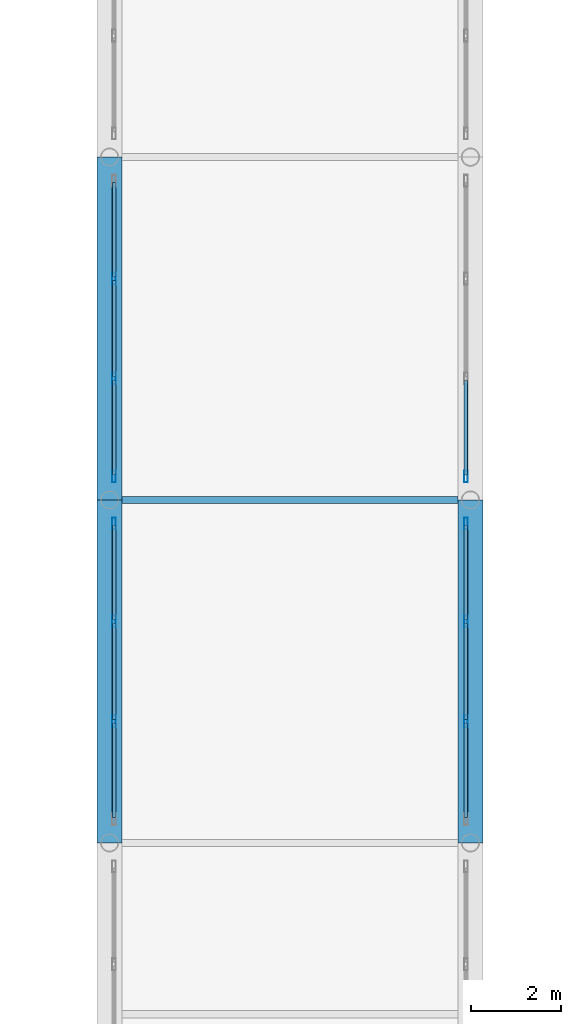
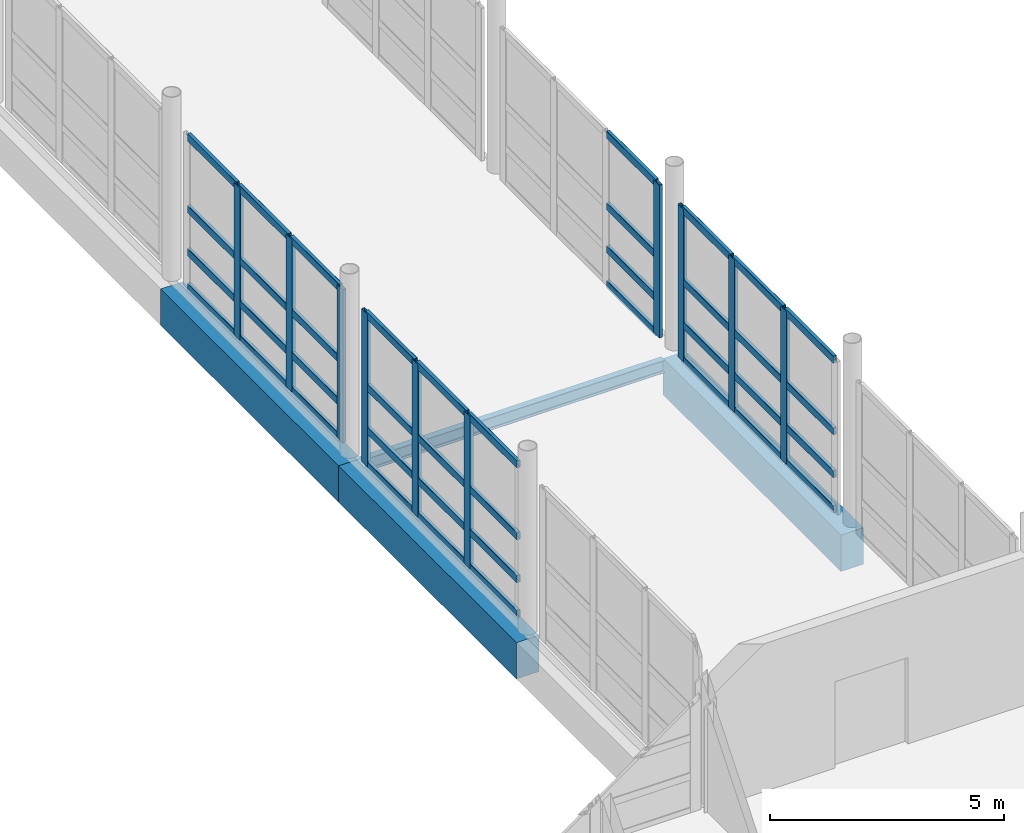
# One storey, part 54 of 147: 50 members, 4 beams, 4 elements without a shape of their own.
"""IFC4 building model written with IfcOpenShell, lengths in metres."""

from ifc_helpers import new_model, si_unit, direction, frame, origin, origin_2d, place, context, subcontext, project, spatial, rectangle, hollow_rectangle, i_section, extrude, material, material_profile, profile_set, type_object, element, aggregate, save


model = new_model("IFC4")

# Units and contexts
model_context = context("Model", 3, precision=1e-05, world=origin(), true_north=direction((0.0, 1.0)))
body_context = subcontext(model_context, "Body", "Model", "MODEL_VIEW")
ifc_project = project(units=[si_unit("LENGTHUNIT", "METRE"), si_unit("AREAUNIT", "SQUARE_METRE"), si_unit("VOLUMEUNIT", "CUBIC_METRE"), si_unit("PLANEANGLEUNIT", "RADIAN"), si_unit("MASSUNIT", "GRAM", prefix="KILO")], contexts=[model_context])

# Site, building, storey
site_placement = place(None, origin())
site = spatial("IfcSite", under=ifc_project, at=site_placement, CompositionType="ELEMENT")
building_placement = place(site_placement, origin())
building = spatial("IfcBuilding", under=site, at=building_placement, Name="Khelvaren Railside Concert Hall", CompositionType="ELEMENT")
storey_placement = place(building_placement, frame((0.0, 0.0, 5.39990234375)))
storey = spatial("IfcBuildingStorey", under=building, at=storey_placement, Name="L01", CompositionType="ELEMENT", Elevation=5.39990234375)

# Curtain wall, members
ifc_material_1 = material(Name="Acoustic laminated crystal facade glass", Category="glass")
curtain_wall_type = type_object("IfcCurtainWallType", Name="CW78", PredefinedType="USERDEFINED", material=ifc_material_1)
curtain_wall_1_placement = place(storey_placement, origin())
curtain_wall_1 = element("IfcCurtainWall", 1, at=curtain_wall_1_placement, inside=storey, type_object=curtain_wall_type, Name="Unitised Curtain Wall CW-LB4-L01-W2", ObjectType="UNITISED CURTAIN WALL", PredefinedType="USERDEFINED")
ifc_material_2 = material(Name="Anodised architectural aluminium 6063-T6", Category="aluminium")
ifc_material_profile_1 = material_profile(ifc_material_2, hollow_rectangle(XDim=0.0849609375, YDim=0.260009765625, WallThickness=0.0048828125, InnerFilletRadius=0.0029296875, OuterFilletRadius=0.0048828125, at=origin_2d()), Name="CWM 85x260x5")
ifc_profile_set_1 = profile_set([ifc_material_profile_1], Name="Anodised architectural aluminium 6063-T6")
member_type_1 = type_object("IfcMemberType", Name="CWM40", PredefinedType="MULLION", material=ifc_profile_set_1)
member_1_placement = place(storey_placement, frame((160.10009765625, 48.293212890625, 0.0), z_axis=(0.0, 0.0, 1.0), x_axis=(-1.0, 0.0, 0.0)))
member_1 = element("IfcMember", 2, at=member_1_placement, type_object=member_type_1, Name="CW78 mullion 2", PredefinedType="MULLION", context=body_context, shape_type="SweptSolid", body=[
    extrude(hollow_rectangle(XDim=0.0849609375, YDim=0.260009765625, WallThickness=0.0048828125, InnerFilletRadius=0.0029296875, OuterFilletRadius=0.0048828125, at=origin_2d()), origin(), (0.0, 0.0, 1.0), 3.97998046875),
])
member_2_placement = place(storey_placement, frame((160.10009765625, 50.506591796875, 0.0), z_axis=(0.0, 0.0, 1.0), x_axis=(-1.0, 0.0, 0.0)))
member_2 = element("IfcMember", 3, at=member_2_placement, type_object=member_type_1, Name="CW78 mullion 3", PredefinedType="MULLION", context=body_context, shape_type="SweptSolid", body=[
    extrude(hollow_rectangle(XDim=0.0849609375, YDim=0.260009765625, WallThickness=0.0048828125, InnerFilletRadius=0.0029296875, OuterFilletRadius=0.0048828125, at=origin_2d()), origin(), (0.0, 0.0, 1.0), 3.97998046875),
])
member_3_placement = place(storey_placement, frame((160.10009765625, 52.677490234375, 0.0), z_axis=(0.0, 0.0, 1.0), x_axis=(-1.0, 0.0, 0.0)))
member_3 = element("IfcMember", 4, at=member_3_placement, type_object=member_type_1, Name="CW78 mullion 4", PredefinedType="MULLION", context=body_context, shape_type="SweptSolid", body=[
    extrude(hollow_rectangle(XDim=0.0849609375, YDim=0.260009765625, WallThickness=0.0048828125, InnerFilletRadius=0.0029296875, OuterFilletRadius=0.0048828125, at=origin_2d()), origin(), (0.0, 0.0, 1.0), 3.97998046875),
])

curtain_wall_2_placement = place(storey_placement, origin())
curtain_wall_2 = element("IfcCurtainWall", 5, at=curtain_wall_2_placement, inside=storey, type_object=curtain_wall_type, Name="Unitised Curtain Wall CW-LB4-L01-E2", ObjectType="UNITISED CURTAIN WALL", PredefinedType="USERDEFINED")
member_4_placement = place(storey_placement, frame((167.89990234375, 52.677490234375, 0.0), z_axis=(0.0, 0.0, 1.0), x_axis=(1.0, 0.0, 0.0)))
member_4 = element("IfcMember", 6, at=member_4_placement, type_object=member_type_1, Name="CW78 mullion 1", PredefinedType="MULLION", context=body_context, shape_type="SweptSolid", body=[
    extrude(hollow_rectangle(XDim=0.0849609375, YDim=0.260009765625, WallThickness=0.0048828125, InnerFilletRadius=0.0029296875, OuterFilletRadius=0.0048828125, at=origin_2d()), origin(), (0.0, 0.0, 1.0), 3.97998046875),
])
member_5_placement = place(storey_placement, frame((167.89990234375, 50.506591796875, 0.0), z_axis=(0.0, 0.0, 1.0), x_axis=(1.0, 0.0, 0.0)))
member_5 = element("IfcMember", 7, at=member_5_placement, type_object=member_type_1, Name="CW78 mullion 2", PredefinedType="MULLION", context=body_context, shape_type="SweptSolid", body=[
    extrude(hollow_rectangle(XDim=0.0849609375, YDim=0.260009765625, WallThickness=0.0048828125, InnerFilletRadius=0.0029296875, OuterFilletRadius=0.0048828125, at=origin_2d()), origin(), (0.0, 0.0, 1.0), 3.97998046875),
])
member_6_placement = place(storey_placement, frame((167.89990234375, 48.293212890625, 0.0), z_axis=(0.0, 0.0, 1.0), x_axis=(1.0, 0.0, 0.0)))
member_6 = element("IfcMember", 8, at=member_6_placement, type_object=member_type_1, Name="CW78 mullion 3", PredefinedType="MULLION", context=body_context, shape_type="SweptSolid", body=[
    extrude(hollow_rectangle(XDim=0.0849609375, YDim=0.260009765625, WallThickness=0.0048828125, InnerFilletRadius=0.0029296875, OuterFilletRadius=0.0048828125, at=origin_2d()), origin(), (0.0, 0.0, 1.0), 3.97998046875),
])

curtain_wall_3_placement = place(storey_placement, origin())
curtain_wall_3 = element("IfcCurtainWall", 9, at=curtain_wall_3_placement, inside=storey, type_object=curtain_wall_type, Name="Unitised Curtain Wall CW-LB4-L01-W3", ObjectType="UNITISED CURTAIN WALL", PredefinedType="USERDEFINED")
member_7_placement = place(storey_placement, frame((160.10009765625, 53.722412109375, 0.0), z_axis=(0.0, 0.0, 1.0), x_axis=(-1.0, 0.0, 0.0)))
member_7 = element("IfcMember", 10, at=member_7_placement, type_object=member_type_1, Name="CW78 mullion 1", PredefinedType="MULLION", context=body_context, shape_type="SweptSolid", body=[
    extrude(hollow_rectangle(XDim=0.0849609375, YDim=0.260009765625, WallThickness=0.0048828125, InnerFilletRadius=0.0029296875, OuterFilletRadius=0.0048828125, at=origin_2d()), origin(), (0.0, 0.0, 1.0), 3.97998046875),
])
member_8_placement = place(storey_placement, frame((160.10009765625, 55.893310546875, 0.0), z_axis=(0.0, 0.0, 1.0), x_axis=(-1.0, 0.0, 0.0)))
member_8 = element("IfcMember", 11, at=member_8_placement, type_object=member_type_1, Name="CW78 mullion 2", PredefinedType="MULLION", context=body_context, shape_type="SweptSolid", body=[
    extrude(hollow_rectangle(XDim=0.0849609375, YDim=0.260009765625, WallThickness=0.0048828125, InnerFilletRadius=0.0029296875, OuterFilletRadius=0.0048828125, at=origin_2d()), origin(), (0.0, 0.0, 1.0), 3.97998046875),
])
member_9_placement = place(storey_placement, frame((160.10009765625, 58.106689453125, 0.0), z_axis=(0.0, 0.0, 1.0), x_axis=(-1.0, 0.0, 0.0)))
member_9 = element("IfcMember", 12, at=member_9_placement, type_object=member_type_1, Name="CW78 mullion 3", PredefinedType="MULLION", context=body_context, shape_type="SweptSolid", body=[
    extrude(hollow_rectangle(XDim=0.0849609375, YDim=0.260009765625, WallThickness=0.0048828125, InnerFilletRadius=0.0029296875, OuterFilletRadius=0.0048828125, at=origin_2d()), origin(), (0.0, 0.0, 1.0), 3.97998046875),
])

# Curtain wall, member
curtain_wall_4_placement = place(storey_placement, origin())
curtain_wall_4 = element("IfcCurtainWall", 13, at=curtain_wall_4_placement, inside=storey, type_object=curtain_wall_type, Name="Unitised Curtain Wall CW-LB4-L01-E3", ObjectType="UNITISED CURTAIN WALL", PredefinedType="USERDEFINED")
member_10_placement = place(storey_placement, frame((167.89990234375, 53.722412109375, 0.0), z_axis=(0.0, 0.0, 1.0), x_axis=(1.0, 0.0, 0.0)))
member_10 = element("IfcMember", 14, at=member_10_placement, type_object=member_type_1, Name="CW78 mullion 4", PredefinedType="MULLION", context=body_context, shape_type="SweptSolid", body=[
    extrude(hollow_rectangle(XDim=0.0849609375, YDim=0.260009765625, WallThickness=0.0048828125, InnerFilletRadius=0.0029296875, OuterFilletRadius=0.0048828125, at=origin_2d()), origin(), (0.0, 0.0, 1.0), 3.97998046875),
])

# Member
ifc_material_profile_2 = material_profile(ifc_material_2, hollow_rectangle(XDim=0.0849609375, YDim=0.18994140625, WallThickness=0.0048828125, InnerFilletRadius=0.0029296875, OuterFilletRadius=0.0048828125, at=origin_2d()), Name="CWT 85x190x5")
ifc_profile_set_2 = profile_set([ifc_material_profile_2], Name="Anodised architectural aluminium 6063-T6")
member_type_2 = type_object("IfcMemberType", Name="CWT31", PredefinedType="USERDEFINED", material=ifc_profile_set_2)
member_11_placement = place(storey_placement, frame((160.10009765625, 46.1650390625, 0.04248046875), z_axis=(0.0, 1.0, 0.0), x_axis=(-1.0, 0.0, 0.0)))
member_11 = element("IfcMember", 15, at=member_11_placement, type_object=member_type_2, Name="CW78 transom 1.1", ObjectType="TRANSOM", PredefinedType="USERDEFINED", context=body_context, shape_type="SweptSolid", body=[
    extrude(hollow_rectangle(XDim=0.0849609375, YDim=0.18994140625, WallThickness=0.0048828125, InnerFilletRadius=0.0029296875, OuterFilletRadius=0.0048828125, at=origin_2d()), origin(), (0.0, 0.0, 1.0), 2.085693359375),
])

member_12_placement = place(storey_placement, frame((160.10009765625, 46.1650390625, 0.9501953125), z_axis=(0.0, 1.0, 0.0), x_axis=(-1.0, 0.0, 0.0)))
member_12 = element("IfcMember", 16, at=member_12_placement, type_object=member_type_2, Name="CW78 transom 1.2", ObjectType="TRANSOM", PredefinedType="USERDEFINED", context=body_context, shape_type="SweptSolid", body=[
    extrude(hollow_rectangle(XDim=0.0849609375, YDim=0.18994140625, WallThickness=0.0048828125, InnerFilletRadius=0.0029296875, OuterFilletRadius=0.0048828125, at=origin_2d()), origin(), (0.0, 0.0, 1.0), 2.085693359375),
])

member_13_placement = place(storey_placement, frame((160.10009765625, 46.1650390625, 2.069580078125), z_axis=(0.0, 1.0, 0.0), x_axis=(-1.0, 0.0, 0.0)))
member_13 = element("IfcMember", 17, at=member_13_placement, type_object=member_type_2, Name="CW78 transom 1.3", ObjectType="TRANSOM", PredefinedType="USERDEFINED", context=body_context, shape_type="SweptSolid", body=[
    extrude(hollow_rectangle(XDim=0.0849609375, YDim=0.18994140625, WallThickness=0.0048828125, InnerFilletRadius=0.0029296875, OuterFilletRadius=0.0048828125, at=origin_2d()), origin(), (0.0, 0.0, 1.0), 2.085693359375),
])

member_14_placement = place(storey_placement, frame((160.10009765625, 46.1650390625, 3.9375), z_axis=(0.0, 1.0, 0.0), x_axis=(-1.0, 0.0, 0.0)))
member_14 = element("IfcMember", 18, at=member_14_placement, type_object=member_type_2, Name="CW78 transom 1.4", ObjectType="TRANSOM", PredefinedType="USERDEFINED", context=body_context, shape_type="SweptSolid", body=[
    extrude(hollow_rectangle(XDim=0.0849609375, YDim=0.18994140625, WallThickness=0.0048828125, InnerFilletRadius=0.0029296875, OuterFilletRadius=0.0048828125, at=origin_2d()), origin(), (0.0, 0.0, 1.0), 2.085693359375),
])

member_15_placement = place(storey_placement, frame((160.10009765625, 48.3359375, 0.04248046875), z_axis=(0.0, 1.0, 0.0), x_axis=(-1.0, 0.0, 0.0)))
member_15 = element("IfcMember", 19, at=member_15_placement, type_object=member_type_2, Name="CW78 transom 2.1", ObjectType="TRANSOM", PredefinedType="USERDEFINED", context=body_context, shape_type="SweptSolid", body=[
    extrude(hollow_rectangle(XDim=0.0849609375, YDim=0.18994140625, WallThickness=0.0048828125, InnerFilletRadius=0.0029296875, OuterFilletRadius=0.0048828125, at=origin_2d()), origin(), (0.0, 0.0, 1.0), 2.128173828125),
])

member_16_placement = place(storey_placement, frame((160.10009765625, 48.3359375, 0.9501953125), z_axis=(0.0, 1.0, 0.0), x_axis=(-1.0, 0.0, 0.0)))
member_16 = element("IfcMember", 20, at=member_16_placement, type_object=member_type_2, Name="CW78 transom 2.2", ObjectType="TRANSOM", PredefinedType="USERDEFINED", context=body_context, shape_type="SweptSolid", body=[
    extrude(hollow_rectangle(XDim=0.0849609375, YDim=0.18994140625, WallThickness=0.0048828125, InnerFilletRadius=0.0029296875, OuterFilletRadius=0.0048828125, at=origin_2d()), origin(), (0.0, 0.0, 1.0), 2.128173828125),
])

member_17_placement = place(storey_placement, frame((160.10009765625, 48.3359375, 2.069580078125), z_axis=(0.0, 1.0, 0.0), x_axis=(-1.0, 0.0, 0.0)))
member_17 = element("IfcMember", 21, at=member_17_placement, type_object=member_type_2, Name="CW78 transom 2.3", ObjectType="TRANSOM", PredefinedType="USERDEFINED", context=body_context, shape_type="SweptSolid", body=[
    extrude(hollow_rectangle(XDim=0.0849609375, YDim=0.18994140625, WallThickness=0.0048828125, InnerFilletRadius=0.0029296875, OuterFilletRadius=0.0048828125, at=origin_2d()), origin(), (0.0, 0.0, 1.0), 2.128173828125),
])

member_18_placement = place(storey_placement, frame((160.10009765625, 48.3359375, 3.9375), z_axis=(0.0, 1.0, 0.0), x_axis=(-1.0, 0.0, 0.0)))
member_18 = element("IfcMember", 22, at=member_18_placement, type_object=member_type_2, Name="CW78 transom 2.4", ObjectType="TRANSOM", PredefinedType="USERDEFINED", context=body_context, shape_type="SweptSolid", body=[
    extrude(hollow_rectangle(XDim=0.0849609375, YDim=0.18994140625, WallThickness=0.0048828125, InnerFilletRadius=0.0029296875, OuterFilletRadius=0.0048828125, at=origin_2d()), origin(), (0.0, 0.0, 1.0), 2.128173828125),
])

member_19_placement = place(storey_placement, frame((160.10009765625, 50.549072265625, 0.04248046875), z_axis=(0.0, 1.0, 0.0), x_axis=(-1.0, 0.0, 0.0)))
member_19 = element("IfcMember", 23, at=member_19_placement, type_object=member_type_2, Name="CW78 transom 3.1", ObjectType="TRANSOM", PredefinedType="USERDEFINED", context=body_context, shape_type="SweptSolid", body=[
    extrude(hollow_rectangle(XDim=0.0849609375, YDim=0.18994140625, WallThickness=0.0048828125, InnerFilletRadius=0.0029296875, OuterFilletRadius=0.0048828125, at=origin_2d()), origin(), (0.0, 0.0, 1.0), 2.0859375),
])

member_20_placement = place(storey_placement, frame((160.10009765625, 50.549072265625, 0.9501953125), z_axis=(0.0, 1.0, 0.0), x_axis=(-1.0, 0.0, 0.0)))
member_20 = element("IfcMember", 24, at=member_20_placement, type_object=member_type_2, Name="CW78 transom 3.2", ObjectType="TRANSOM", PredefinedType="USERDEFINED", context=body_context, shape_type="SweptSolid", body=[
    extrude(hollow_rectangle(XDim=0.0849609375, YDim=0.18994140625, WallThickness=0.0048828125, InnerFilletRadius=0.0029296875, OuterFilletRadius=0.0048828125, at=origin_2d()), origin(), (0.0, 0.0, 1.0), 2.0859375),
])

member_21_placement = place(storey_placement, frame((160.10009765625, 50.549072265625, 2.069580078125), z_axis=(0.0, 1.0, 0.0), x_axis=(-1.0, 0.0, 0.0)))
member_21 = element("IfcMember", 25, at=member_21_placement, type_object=member_type_2, Name="CW78 transom 3.3", ObjectType="TRANSOM", PredefinedType="USERDEFINED", context=body_context, shape_type="SweptSolid", body=[
    extrude(hollow_rectangle(XDim=0.0849609375, YDim=0.18994140625, WallThickness=0.0048828125, InnerFilletRadius=0.0029296875, OuterFilletRadius=0.0048828125, at=origin_2d()), origin(), (0.0, 0.0, 1.0), 2.0859375),
])

member_22_placement = place(storey_placement, frame((160.10009765625, 50.549072265625, 3.9375), z_axis=(0.0, 1.0, 0.0), x_axis=(-1.0, 0.0, 0.0)))
member_22 = element("IfcMember", 26, at=member_22_placement, type_object=member_type_2, Name="CW78 transom 3.4", ObjectType="TRANSOM", PredefinedType="USERDEFINED", context=body_context, shape_type="SweptSolid", body=[
    extrude(hollow_rectangle(XDim=0.0849609375, YDim=0.18994140625, WallThickness=0.0048828125, InnerFilletRadius=0.0029296875, OuterFilletRadius=0.0048828125, at=origin_2d()), origin(), (0.0, 0.0, 1.0), 2.0859375),
])

aggregate(curtain_wall_1, [member_1, member_2, member_3, member_11, member_12, member_13, member_14, member_15, member_16, member_17, member_18, member_19, member_20, member_21, member_22])

member_23_placement = place(storey_placement, frame((167.89990234375, 52.635009765625, 0.04248046875), z_axis=(0.0, -1.0, 0.0), x_axis=(1.0, 0.0, 0.0)))
member_23 = element("IfcMember", 27, at=member_23_placement, type_object=member_type_2, Name="CW78 transom 1.1", ObjectType="TRANSOM", PredefinedType="USERDEFINED", context=body_context, shape_type="SweptSolid", body=[
    extrude(hollow_rectangle(XDim=0.0849609375, YDim=0.18994140625, WallThickness=0.0048828125, InnerFilletRadius=0.0029296875, OuterFilletRadius=0.0048828125, at=origin_2d()), origin(), (0.0, 0.0, 1.0), 2.0859375),
])

member_24_placement = place(storey_placement, frame((167.89990234375, 52.635009765625, 0.9501953125), z_axis=(0.0, -1.0, 0.0), x_axis=(1.0, 0.0, 0.0)))
member_24 = element("IfcMember", 28, at=member_24_placement, type_object=member_type_2, Name="CW78 transom 1.2", ObjectType="TRANSOM", PredefinedType="USERDEFINED", context=body_context, shape_type="SweptSolid", body=[
    extrude(hollow_rectangle(XDim=0.0849609375, YDim=0.18994140625, WallThickness=0.0048828125, InnerFilletRadius=0.0029296875, OuterFilletRadius=0.0048828125, at=origin_2d()), origin(), (0.0, 0.0, 1.0), 2.0859375),
])

member_25_placement = place(storey_placement, frame((167.89990234375, 52.635009765625, 2.069580078125), z_axis=(0.0, -1.0, 0.0), x_axis=(1.0, 0.0, 0.0)))
member_25 = element("IfcMember", 29, at=member_25_placement, type_object=member_type_2, Name="CW78 transom 1.3", ObjectType="TRANSOM", PredefinedType="USERDEFINED", context=body_context, shape_type="SweptSolid", body=[
    extrude(hollow_rectangle(XDim=0.0849609375, YDim=0.18994140625, WallThickness=0.0048828125, InnerFilletRadius=0.0029296875, OuterFilletRadius=0.0048828125, at=origin_2d()), origin(), (0.0, 0.0, 1.0), 2.0859375),
])

member_26_placement = place(storey_placement, frame((167.89990234375, 52.635009765625, 3.9375), z_axis=(0.0, -1.0, 0.0), x_axis=(1.0, 0.0, 0.0)))
member_26 = element("IfcMember", 30, at=member_26_placement, type_object=member_type_2, Name="CW78 transom 1.4", ObjectType="TRANSOM", PredefinedType="USERDEFINED", context=body_context, shape_type="SweptSolid", body=[
    extrude(hollow_rectangle(XDim=0.0849609375, YDim=0.18994140625, WallThickness=0.0048828125, InnerFilletRadius=0.0029296875, OuterFilletRadius=0.0048828125, at=origin_2d()), origin(), (0.0, 0.0, 1.0), 2.0859375),
])

member_27_placement = place(storey_placement, frame((167.89990234375, 50.464111328125, 0.04248046875), z_axis=(0.0, -1.0, 0.0), x_axis=(1.0, 0.0, 0.0)))
member_27 = element("IfcMember", 31, at=member_27_placement, type_object=member_type_2, Name="CW78 transom 2.1", ObjectType="TRANSOM", PredefinedType="USERDEFINED", context=body_context, shape_type="SweptSolid", body=[
    extrude(hollow_rectangle(XDim=0.0849609375, YDim=0.18994140625, WallThickness=0.0048828125, InnerFilletRadius=0.0029296875, OuterFilletRadius=0.0048828125, at=origin_2d()), origin(), (0.0, 0.0, 1.0), 2.128173828125),
])

member_28_placement = place(storey_placement, frame((167.89990234375, 50.464111328125, 0.9501953125), z_axis=(0.0, -1.0, 0.0), x_axis=(1.0, 0.0, 0.0)))
member_28 = element("IfcMember", 32, at=member_28_placement, type_object=member_type_2, Name="CW78 transom 2.2", ObjectType="TRANSOM", PredefinedType="USERDEFINED", context=body_context, shape_type="SweptSolid", body=[
    extrude(hollow_rectangle(XDim=0.0849609375, YDim=0.18994140625, WallThickness=0.0048828125, InnerFilletRadius=0.0029296875, OuterFilletRadius=0.0048828125, at=origin_2d()), origin(), (0.0, 0.0, 1.0), 2.128173828125),
])

member_29_placement = place(storey_placement, frame((167.89990234375, 50.464111328125, 2.069580078125), z_axis=(0.0, -1.0, 0.0), x_axis=(1.0, 0.0, 0.0)))
member_29 = element("IfcMember", 33, at=member_29_placement, type_object=member_type_2, Name="CW78 transom 2.3", ObjectType="TRANSOM", PredefinedType="USERDEFINED", context=body_context, shape_type="SweptSolid", body=[
    extrude(hollow_rectangle(XDim=0.0849609375, YDim=0.18994140625, WallThickness=0.0048828125, InnerFilletRadius=0.0029296875, OuterFilletRadius=0.0048828125, at=origin_2d()), origin(), (0.0, 0.0, 1.0), 2.128173828125),
])

member_30_placement = place(storey_placement, frame((167.89990234375, 50.464111328125, 3.9375), z_axis=(0.0, -1.0, 0.0), x_axis=(1.0, 0.0, 0.0)))
member_30 = element("IfcMember", 34, at=member_30_placement, type_object=member_type_2, Name="CW78 transom 2.4", ObjectType="TRANSOM", PredefinedType="USERDEFINED", context=body_context, shape_type="SweptSolid", body=[
    extrude(hollow_rectangle(XDim=0.0849609375, YDim=0.18994140625, WallThickness=0.0048828125, InnerFilletRadius=0.0029296875, OuterFilletRadius=0.0048828125, at=origin_2d()), origin(), (0.0, 0.0, 1.0), 2.128173828125),
])

member_31_placement = place(storey_placement, frame((167.89990234375, 48.250732421875, 0.04248046875), z_axis=(0.0, -1.0, 0.0), x_axis=(1.0, 0.0, 0.0)))
member_31 = element("IfcMember", 35, at=member_31_placement, type_object=member_type_2, Name="CW78 transom 3.1", ObjectType="TRANSOM", PredefinedType="USERDEFINED", context=body_context, shape_type="SweptSolid", body=[
    extrude(hollow_rectangle(XDim=0.0849609375, YDim=0.18994140625, WallThickness=0.0048828125, InnerFilletRadius=0.0029296875, OuterFilletRadius=0.0048828125, at=origin_2d()), origin(), (0.0, 0.0, 1.0), 2.085693359375),
])

member_32_placement = place(storey_placement, frame((167.89990234375, 48.250732421875, 0.9501953125), z_axis=(0.0, -1.0, 0.0), x_axis=(1.0, 0.0, 0.0)))
member_32 = element("IfcMember", 36, at=member_32_placement, type_object=member_type_2, Name="CW78 transom 3.2", ObjectType="TRANSOM", PredefinedType="USERDEFINED", context=body_context, shape_type="SweptSolid", body=[
    extrude(hollow_rectangle(XDim=0.0849609375, YDim=0.18994140625, WallThickness=0.0048828125, InnerFilletRadius=0.0029296875, OuterFilletRadius=0.0048828125, at=origin_2d()), origin(), (0.0, 0.0, 1.0), 2.085693359375),
])

member_33_placement = place(storey_placement, frame((167.89990234375, 48.250732421875, 2.069580078125), z_axis=(0.0, -1.0, 0.0), x_axis=(1.0, 0.0, 0.0)))
member_33 = element("IfcMember", 37, at=member_33_placement, type_object=member_type_2, Name="CW78 transom 3.3", ObjectType="TRANSOM", PredefinedType="USERDEFINED", context=body_context, shape_type="SweptSolid", body=[
    extrude(hollow_rectangle(XDim=0.0849609375, YDim=0.18994140625, WallThickness=0.0048828125, InnerFilletRadius=0.0029296875, OuterFilletRadius=0.0048828125, at=origin_2d()), origin(), (0.0, 0.0, 1.0), 2.085693359375),
])

member_34_placement = place(storey_placement, frame((167.89990234375, 48.250732421875, 3.9375), z_axis=(0.0, -1.0, 0.0), x_axis=(1.0, 0.0, 0.0)))
member_34 = element("IfcMember", 38, at=member_34_placement, type_object=member_type_2, Name="CW78 transom 3.4", ObjectType="TRANSOM", PredefinedType="USERDEFINED", context=body_context, shape_type="SweptSolid", body=[
    extrude(hollow_rectangle(XDim=0.0849609375, YDim=0.18994140625, WallThickness=0.0048828125, InnerFilletRadius=0.0029296875, OuterFilletRadius=0.0048828125, at=origin_2d()), origin(), (0.0, 0.0, 1.0), 2.085693359375),
])

aggregate(curtain_wall_2, [member_4, member_5, member_6, member_23, member_24, member_25, member_26, member_27, member_28, member_29, member_30, member_31, member_32, member_33, member_34])

member_35_placement = place(storey_placement, frame((160.10009765625, 53.764892578125, 0.04248046875), z_axis=(0.0, 1.0, 0.0), x_axis=(-1.0, 0.0, 0.0)))
member_35 = element("IfcMember", 39, at=member_35_placement, type_object=member_type_2, Name="CW78 transom 1.1", ObjectType="TRANSOM", PredefinedType="USERDEFINED", context=body_context, shape_type="SweptSolid", body=[
    extrude(hollow_rectangle(XDim=0.0849609375, YDim=0.18994140625, WallThickness=0.0048828125, InnerFilletRadius=0.0029296875, OuterFilletRadius=0.0048828125, at=origin_2d()), origin(), (0.0, 0.0, 1.0), 2.0859375),
])

member_36_placement = place(storey_placement, frame((160.10009765625, 53.764892578125, 0.9501953125), z_axis=(0.0, 1.0, 0.0), x_axis=(-1.0, 0.0, 0.0)))
member_36 = element("IfcMember", 40, at=member_36_placement, type_object=member_type_2, Name="CW78 transom 1.2", ObjectType="TRANSOM", PredefinedType="USERDEFINED", context=body_context, shape_type="SweptSolid", body=[
    extrude(hollow_rectangle(XDim=0.0849609375, YDim=0.18994140625, WallThickness=0.0048828125, InnerFilletRadius=0.0029296875, OuterFilletRadius=0.0048828125, at=origin_2d()), origin(), (0.0, 0.0, 1.0), 2.0859375),
])

member_37_placement = place(storey_placement, frame((160.10009765625, 53.764892578125, 2.069580078125), z_axis=(0.0, 1.0, 0.0), x_axis=(-1.0, 0.0, 0.0)))
member_37 = element("IfcMember", 41, at=member_37_placement, type_object=member_type_2, Name="CW78 transom 1.3", ObjectType="TRANSOM", PredefinedType="USERDEFINED", context=body_context, shape_type="SweptSolid", body=[
    extrude(hollow_rectangle(XDim=0.0849609375, YDim=0.18994140625, WallThickness=0.0048828125, InnerFilletRadius=0.0029296875, OuterFilletRadius=0.0048828125, at=origin_2d()), origin(), (0.0, 0.0, 1.0), 2.0859375),
])

member_38_placement = place(storey_placement, frame((160.10009765625, 53.764892578125, 3.9375), z_axis=(0.0, 1.0, 0.0), x_axis=(-1.0, 0.0, 0.0)))
member_38 = element("IfcMember", 42, at=member_38_placement, type_object=member_type_2, Name="CW78 transom 1.4", ObjectType="TRANSOM", PredefinedType="USERDEFINED", context=body_context, shape_type="SweptSolid", body=[
    extrude(hollow_rectangle(XDim=0.0849609375, YDim=0.18994140625, WallThickness=0.0048828125, InnerFilletRadius=0.0029296875, OuterFilletRadius=0.0048828125, at=origin_2d()), origin(), (0.0, 0.0, 1.0), 2.0859375),
])

member_39_placement = place(storey_placement, frame((160.10009765625, 55.935791015625, 0.04248046875), z_axis=(0.0, 1.0, 0.0), x_axis=(-1.0, 0.0, 0.0)))
member_39 = element("IfcMember", 43, at=member_39_placement, type_object=member_type_2, Name="CW78 transom 2.1", ObjectType="TRANSOM", PredefinedType="USERDEFINED", context=body_context, shape_type="SweptSolid", body=[
    extrude(hollow_rectangle(XDim=0.0849609375, YDim=0.18994140625, WallThickness=0.0048828125, InnerFilletRadius=0.0029296875, OuterFilletRadius=0.0048828125, at=origin_2d()), origin(), (0.0, 0.0, 1.0), 2.12841796875),
])

member_40_placement = place(storey_placement, frame((160.10009765625, 55.935791015625, 0.9501953125), z_axis=(0.0, 1.0, 0.0), x_axis=(-1.0, 0.0, 0.0)))
member_40 = element("IfcMember", 44, at=member_40_placement, type_object=member_type_2, Name="CW78 transom 2.2", ObjectType="TRANSOM", PredefinedType="USERDEFINED", context=body_context, shape_type="SweptSolid", body=[
    extrude(hollow_rectangle(XDim=0.0849609375, YDim=0.18994140625, WallThickness=0.0048828125, InnerFilletRadius=0.0029296875, OuterFilletRadius=0.0048828125, at=origin_2d()), origin(), (0.0, 0.0, 1.0), 2.12841796875),
])

member_41_placement = place(storey_placement, frame((160.10009765625, 55.935791015625, 2.069580078125), z_axis=(0.0, 1.0, 0.0), x_axis=(-1.0, 0.0, 0.0)))
member_41 = element("IfcMember", 45, at=member_41_placement, type_object=member_type_2, Name="CW78 transom 2.3", ObjectType="TRANSOM", PredefinedType="USERDEFINED", context=body_context, shape_type="SweptSolid", body=[
    extrude(hollow_rectangle(XDim=0.0849609375, YDim=0.18994140625, WallThickness=0.0048828125, InnerFilletRadius=0.0029296875, OuterFilletRadius=0.0048828125, at=origin_2d()), origin(), (0.0, 0.0, 1.0), 2.12841796875),
])

member_42_placement = place(storey_placement, frame((160.10009765625, 55.935791015625, 3.9375), z_axis=(0.0, 1.0, 0.0), x_axis=(-1.0, 0.0, 0.0)))
member_42 = element("IfcMember", 46, at=member_42_placement, type_object=member_type_2, Name="CW78 transom 2.4", ObjectType="TRANSOM", PredefinedType="USERDEFINED", context=body_context, shape_type="SweptSolid", body=[
    extrude(hollow_rectangle(XDim=0.0849609375, YDim=0.18994140625, WallThickness=0.0048828125, InnerFilletRadius=0.0029296875, OuterFilletRadius=0.0048828125, at=origin_2d()), origin(), (0.0, 0.0, 1.0), 2.12841796875),
])

member_43_placement = place(storey_placement, frame((160.10009765625, 58.149169921875, 0.04248046875), z_axis=(0.0, 1.0, 0.0), x_axis=(-1.0, 0.0, 0.0)))
member_43 = element("IfcMember", 47, at=member_43_placement, type_object=member_type_2, Name="CW78 transom 3.1", ObjectType="TRANSOM", PredefinedType="USERDEFINED", context=body_context, shape_type="SweptSolid", body=[
    extrude(hollow_rectangle(XDim=0.0849609375, YDim=0.18994140625, WallThickness=0.0048828125, InnerFilletRadius=0.0029296875, OuterFilletRadius=0.0048828125, at=origin_2d()), origin(), (0.0, 0.0, 1.0), 2.0859375),
])

member_44_placement = place(storey_placement, frame((160.10009765625, 58.149169921875, 0.9501953125), z_axis=(0.0, 1.0, 0.0), x_axis=(-1.0, 0.0, 0.0)))
member_44 = element("IfcMember", 48, at=member_44_placement, type_object=member_type_2, Name="CW78 transom 3.2", ObjectType="TRANSOM", PredefinedType="USERDEFINED", context=body_context, shape_type="SweptSolid", body=[
    extrude(hollow_rectangle(XDim=0.0849609375, YDim=0.18994140625, WallThickness=0.0048828125, InnerFilletRadius=0.0029296875, OuterFilletRadius=0.0048828125, at=origin_2d()), origin(), (0.0, 0.0, 1.0), 2.0859375),
])

member_45_placement = place(storey_placement, frame((160.10009765625, 58.149169921875, 2.069580078125), z_axis=(0.0, 1.0, 0.0), x_axis=(-1.0, 0.0, 0.0)))
member_45 = element("IfcMember", 49, at=member_45_placement, type_object=member_type_2, Name="CW78 transom 3.3", ObjectType="TRANSOM", PredefinedType="USERDEFINED", context=body_context, shape_type="SweptSolid", body=[
    extrude(hollow_rectangle(XDim=0.0849609375, YDim=0.18994140625, WallThickness=0.0048828125, InnerFilletRadius=0.0029296875, OuterFilletRadius=0.0048828125, at=origin_2d()), origin(), (0.0, 0.0, 1.0), 2.0859375),
])

member_46_placement = place(storey_placement, frame((160.10009765625, 58.149169921875, 3.9375), z_axis=(0.0, 1.0, 0.0), x_axis=(-1.0, 0.0, 0.0)))
member_46 = element("IfcMember", 50, at=member_46_placement, type_object=member_type_2, Name="CW78 transom 3.4", ObjectType="TRANSOM", PredefinedType="USERDEFINED", context=body_context, shape_type="SweptSolid", body=[
    extrude(hollow_rectangle(XDim=0.0849609375, YDim=0.18994140625, WallThickness=0.0048828125, InnerFilletRadius=0.0029296875, OuterFilletRadius=0.0048828125, at=origin_2d()), origin(), (0.0, 0.0, 1.0), 2.0859375),
])

aggregate(curtain_wall_3, [member_7, member_8, member_9, member_35, member_36, member_37, member_38, member_39, member_40, member_41, member_42, member_43, member_44, member_45, member_46])

member_47_placement = place(storey_placement, frame((167.89990234375, 55.850830078125, 0.04248046875), z_axis=(0.0, -1.0, 0.0), x_axis=(1.0, 0.0, 0.0)))
member_47 = element("IfcMember", 51, at=member_47_placement, type_object=member_type_2, Name="CW78 transom 3.1", ObjectType="TRANSOM", PredefinedType="USERDEFINED", context=body_context, shape_type="SweptSolid", body=[
    extrude(hollow_rectangle(XDim=0.0849609375, YDim=0.18994140625, WallThickness=0.0048828125, InnerFilletRadius=0.0029296875, OuterFilletRadius=0.0048828125, at=origin_2d()), origin(), (0.0, 0.0, 1.0), 2.0859375),
])

member_48_placement = place(storey_placement, frame((167.89990234375, 55.850830078125, 0.9501953125), z_axis=(0.0, -1.0, 0.0), x_axis=(1.0, 0.0, 0.0)))
member_48 = element("IfcMember", 52, at=member_48_placement, type_object=member_type_2, Name="CW78 transom 3.2", ObjectType="TRANSOM", PredefinedType="USERDEFINED", context=body_context, shape_type="SweptSolid", body=[
    extrude(hollow_rectangle(XDim=0.0849609375, YDim=0.18994140625, WallThickness=0.0048828125, InnerFilletRadius=0.0029296875, OuterFilletRadius=0.0048828125, at=origin_2d()), origin(), (0.0, 0.0, 1.0), 2.0859375),
])

member_49_placement = place(storey_placement, frame((167.89990234375, 55.850830078125, 2.069580078125), z_axis=(0.0, -1.0, 0.0), x_axis=(1.0, 0.0, 0.0)))
member_49 = element("IfcMember", 53, at=member_49_placement, type_object=member_type_2, Name="CW78 transom 3.3", ObjectType="TRANSOM", PredefinedType="USERDEFINED", context=body_context, shape_type="SweptSolid", body=[
    extrude(hollow_rectangle(XDim=0.0849609375, YDim=0.18994140625, WallThickness=0.0048828125, InnerFilletRadius=0.0029296875, OuterFilletRadius=0.0048828125, at=origin_2d()), origin(), (0.0, 0.0, 1.0), 2.0859375),
])

member_50_placement = place(storey_placement, frame((167.89990234375, 55.850830078125, 3.9375), z_axis=(0.0, -1.0, 0.0), x_axis=(1.0, 0.0, 0.0)))
member_50 = element("IfcMember", 54, at=member_50_placement, type_object=member_type_2, Name="CW78 transom 3.4", ObjectType="TRANSOM", PredefinedType="USERDEFINED", context=body_context, shape_type="SweptSolid", body=[
    extrude(hollow_rectangle(XDim=0.0849609375, YDim=0.18994140625, WallThickness=0.0048828125, InnerFilletRadius=0.0029296875, OuterFilletRadius=0.0048828125, at=origin_2d()), origin(), (0.0, 0.0, 1.0), 2.0859375),
])

aggregate(curtain_wall_4, [member_10, member_47, member_48, member_49, member_50])

# Beams
ifc_material_3 = material(Name="Concrete C40/50", Category="concrete")
ifc_material_profile_3 = material_profile(ifc_material_3, rectangle(XDim=0.550048828125, YDim=0.949951171875, at=origin_2d()), Name="RCB 550x950")
ifc_profile_set_3 = profile_set([ifc_material_profile_3], Name="Concrete C40/50")
beam_type_1 = type_object("IfcBeamType", Name="GR75", PredefinedType="T_BEAM", material=ifc_profile_set_3)
beam_1_placement = place(storey_placement, frame((160.0, 45.60009765625, -0.71484375), z_axis=(0.0, 1.0, 0.0), x_axis=(-1.0, 0.0, 0.0)))
element("IfcBeam", 55, at=beam_1_placement, inside=storey, type_object=beam_type_1, Name="East Backstage Artist Link Bridge L01 Bridge Girder 1.2", PredefinedType="T_BEAM", context=body_context, shape_type="SweptSolid", body=[
    extrude(rectangle(XDim=0.550048828125, YDim=0.949951171875, at=origin_2d()), origin(), (0.0, 0.0, 1.0), 7.599853515625),
])
beam_2_placement = place(storey_placement, frame((160.0, 53.199951171875, -0.71484375), z_axis=(0.0, 1.0, 0.0), x_axis=(-1.0, 0.0, 0.0)))
element("IfcBeam", 56, at=beam_2_placement, inside=storey, type_object=beam_type_1, Name="East Backstage Artist Link Bridge L01 Bridge Girder 1.3", PredefinedType="T_BEAM", context=body_context, shape_type="SweptSolid", body=[
    extrude(rectangle(XDim=0.550048828125, YDim=0.949951171875, at=origin_2d()), origin(), (0.0, 0.0, 1.0), 7.60009765625),
])
beam_3_placement = place(storey_placement, frame((168.0, 45.60009765625, -0.71484375), z_axis=(0.0, 1.0, 0.0), x_axis=(-1.0, 0.0, 0.0)))
element("IfcBeam", 57, at=beam_3_placement, inside=storey, type_object=beam_type_1, Name="East Backstage Artist Link Bridge L01 Bridge Girder 2.2", PredefinedType="T_BEAM", context=body_context, shape_type="SweptSolid", body=[
    extrude(rectangle(XDim=0.550048828125, YDim=0.949951171875, at=origin_2d()), origin(), (0.0, 0.0, 1.0), 7.599853515625),
])
ifc_material_4 = material(Name="Steel S355", Category="steel")
ifc_material_profile_4 = material_profile(ifc_material_4, i_section(OverallWidth=0.159912109375, OverallDepth=0.330078125, WebThickness=0.007568359375, FlangeThickness=0.011474609375, FilletRadius=0.01806640625, at=origin_2d()), Name="IPE 330")
ifc_profile_set_4 = profile_set([ifc_material_profile_4], Name="Steel S355")
beam_type_2 = type_object("IfcBeamType", Name="JS65", PredefinedType="JOIST", material=ifc_profile_set_4)
beam_4_placement = place(storey_placement, frame((160.27490234375, 53.199951171875, -0.40478515625), z_axis=(1.0, 0.0, 0.0), x_axis=(0.0, 1.0, 0.0)))
element("IfcBeam", 58, at=beam_4_placement, inside=storey, type_object=beam_type_2, Name="East Backstage Artist Link Bridge L01 Bridge Cross Joist 2", PredefinedType="JOIST", context=body_context, shape_type="SweptSolid", body=[
    extrude(i_section(OverallWidth=0.159912109375, OverallDepth=0.330078125, WebThickness=0.007568359375, FlangeThickness=0.011474609375, FilletRadius=0.01806640625, at=origin_2d()), origin(), (0.0, 0.0, 1.0), 7.4501953125),
])

save(model, "model.ifc")
